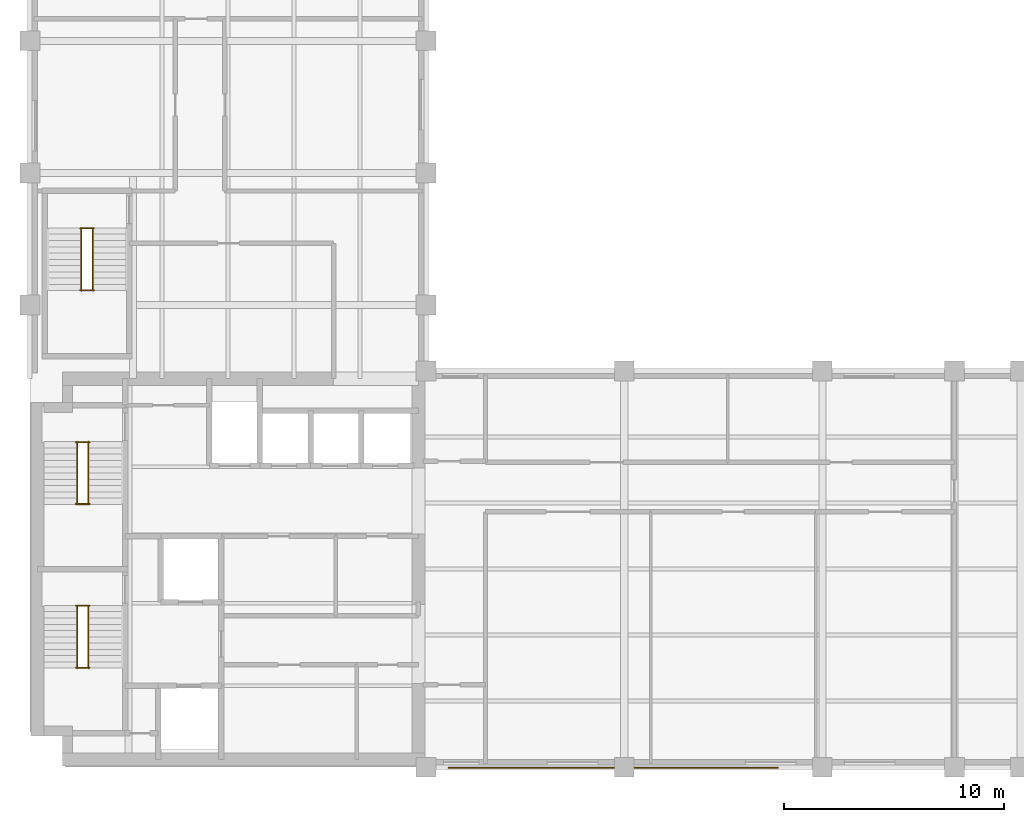
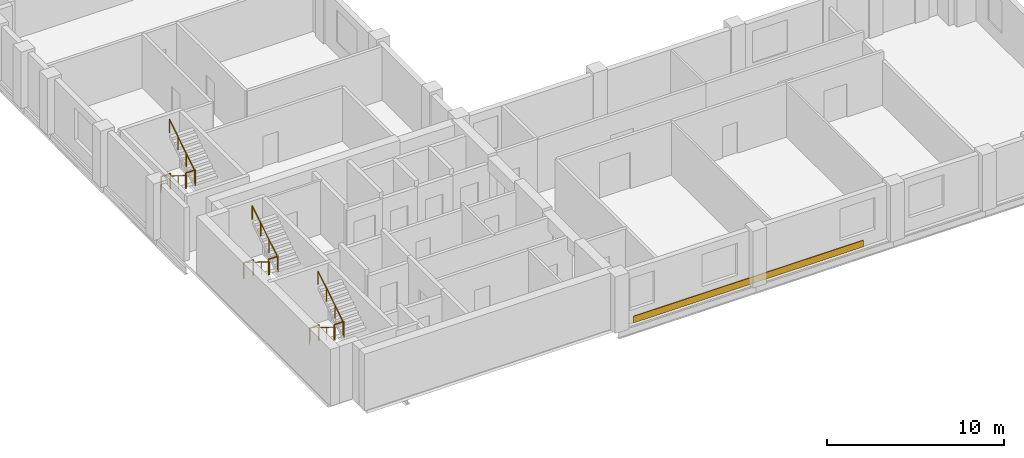
# One storey, part 6 of 6: 12 railings, 1 covering.
"""IFC4 building model written with IfcOpenShell, lengths in metres."""

import ifcopenshell
import ifcopenshell.guid

model = None  # the IFC model being written
_history = None  # IfcOwnerHistory: only IFC2X3 demands one
_inside = {}  # id of a spatial element -> (the spatial element, [elements in it])
_under = {}  # id of a project, library or spatial element -> (it, [spatial elements below it])
_declared = {}  # id of a project -> (the project, [libraries it declares])
_typed = {}  # id of a type object -> (the type object, [elements of that type])
_made_of = {}  # id of a material, layer set ... -> (it, [elements and type objects made of it])


def new_model(schema):
    """Start an empty IFC model of exactly this schema.

    Asked for "IFC4X3", IfcOpenShell would pick the latest addendum, in which some entities
    have other attributes; the version numbers below select the first issue.
    IFC2X3 requires an IfcOwnerHistory on every rooted entity: one is made here for all.
    """
    global model, _history
    if schema == "IFC4X3":
        model = ifcopenshell.file(schema_version=(4, 3, 0, 0))
    else:
        model = ifcopenshell.file(schema=schema)
    _inside.clear()
    _under.clear()
    _declared.clear()
    _typed.clear()
    _made_of.clear()
    _history = None
    if model.schema == "IFC2X3":
        org = make("IfcOrganization", Name="unknown")
        user = make(
            "IfcPersonAndOrganization",
            ThePerson=make("IfcPerson", FamilyName="unknown"),
            TheOrganization=org,
        )
        app = make(
            "IfcApplication",
            ApplicationDeveloper=org,
            Version="unknown",
            ApplicationFullName="unknown",
            ApplicationIdentifier="unknown",
        )
        _history = make(
            "IfcOwnerHistory",
            OwningUser=user,
            OwningApplication=app,
            ChangeAction="ADDED",
            CreationDate=0,
        )
    return model


def make(cls, **values):
    """One entity of the class cls with the attributes given. An attribute that is None is left unset."""
    return model.create_entity(
        cls, **{name: value for name, value in values.items() if value is not None}
    )


def rooted(cls, **values):
    """An entity with a GlobalId (a new one), such as an element, a storey or a relation."""
    return make(cls, GlobalId=ifcopenshell.guid.new(), OwnerHistory=_history, **values)


def si_unit(unit_type, name, prefix=None):
    """IfcSIUnit, for example si_unit("LENGTHUNIT", "METRE", prefix="MILLI")."""
    return make("IfcSIUnit", UnitType=unit_type, Prefix=prefix, Name=name)


def assignment(units):
    """IfcUnitAssignment: the units of a project."""
    return None if units is None else make("IfcUnitAssignment", Units=units)


def point(xyz):
    """IfcCartesianPoint."""
    return None if xyz is None else make("IfcCartesianPoint", Coordinates=xyz)


def direction(xyz):
    """IfcDirection."""
    return None if xyz is None else make("IfcDirection", DirectionRatios=xyz)


def frame(location, z_axis=None, x_axis=None):
    """IfcAxis2Placement3D, a coordinate frame: its origin and axes. An axis left out is left unset."""
    return make(
        "IfcAxis2Placement3D",
        Location=point(location),
        Axis=direction(z_axis),
        RefDirection=direction(x_axis),
    )


def frame_2d(location, x_axis=None):
    """IfcAxis2Placement2D, a coordinate frame in the plane: its origin and x axis."""
    return make(
        "IfcAxis2Placement2D", Location=point(location), RefDirection=direction(x_axis)
    )


def origin():
    """The frame at (0, 0, 0) with its axes left unset."""
    return frame((0.0, 0.0, 0.0))


def origin_2d():
    """The frame at (0, 0) in the plane with its x axis left unset."""
    return frame_2d((0.0, 0.0))


def place(relative_to, where):
    """IfcLocalPlacement: puts the frame where relative to a parent placement (None: the world)."""
    return make(
        "IfcLocalPlacement", PlacementRelTo=relative_to, RelativePlacement=where
    )


def context(
    kind, dimensions, precision=None, world=None, true_north=None, identifier=None
):
    """IfcGeometricRepresentationContext, for example the 3D "Model" context."""
    return make(
        "IfcGeometricRepresentationContext",
        ContextIdentifier=identifier,
        ContextType=kind,
        CoordinateSpaceDimension=dimensions,
        Precision=precision,
        WorldCoordinateSystem=world,
        TrueNorth=true_north,
    )


def subcontext(parent, identifier, kind, view, scale=None):
    """IfcGeometricRepresentationSubContext, for example "Body" below "Model"."""
    return make(
        "IfcGeometricRepresentationSubContext",
        ContextIdentifier=identifier,
        ContextType=kind,
        ParentContext=parent,
        TargetScale=scale,
        TargetView=view,
    )


def project(units=None, contexts=None):
    """IfcProject with its units and contexts."""
    return rooted(
        "IfcProject",
        Name="project",
        RepresentationContexts=contexts,
        UnitsInContext=assignment(units),
    )


def spatial(cls, under=None, at=None, **own):
    """A site, building, storey or space (cls), placed at a placement, below another one or the project."""
    s = rooted(cls, ObjectPlacement=at, **own)
    if under is not None:
        _under.setdefault(under.id(), (under, []))[1].append(s)
    return s


def polyline(points):
    """IfcPolyline through the points."""
    return make("IfcPolyline", Points=[point(p) for p in points])


def profile(cls, at=None, kind="AREA", **sizes):
    """A parametric profile (cls). Its sizes go by their IFC names, for example OverallWidth=200.0."""
    return make(cls, ProfileType=kind, Position=at, **sizes)


def circle(**sizes):
    """IfcCircleProfileDef."""
    return profile("IfcCircleProfileDef", **sizes)


def outline(outer, holes=None, kind="AREA"):
    """IfcArbitraryClosedProfileDef: a profile drawn as a closed curve; with holes, ...WithVoids."""
    if holes is None:
        return make("IfcArbitraryClosedProfileDef", ProfileType=kind, OuterCurve=outer)
    return make(
        "IfcArbitraryProfileDefWithVoids",
        ProfileType=kind,
        OuterCurve=outer,
        InnerCurves=holes,
    )


def extrude(swept, where, along, depth):
    """IfcExtrudedAreaSolid: the profile swept, set in the frame where, extruded along a direction by depth."""
    return make(
        "IfcExtrudedAreaSolid",
        SweptArea=swept,
        Position=where,
        ExtrudedDirection=direction(along),
        Depth=depth,
    )


def shape(context_of_items, identifier, shape_type, items):
    """IfcShapeRepresentation: the items that make up one representation, for example the "Body"."""
    return make(
        "IfcShapeRepresentation",
        ContextOfItems=context_of_items,
        RepresentationIdentifier=identifier,
        RepresentationType=shape_type,
        Items=items,
    )


def material(Name=None, Category=None):
    """IfcMaterial."""
    return make("IfcMaterial", Name=Name, Category=Category)


def layer(
    of_material, thickness, ventilated=None, Name=None, Category=None, Priority=None
):
    """IfcMaterialLayer: one layer of a wall or slab, of a material (None: an air gap)."""
    return make(
        "IfcMaterialLayer",
        Material=of_material,
        LayerThickness=thickness,
        IsVentilated=ventilated,
        Name=Name,
        Category=Category,
        Priority=Priority,
    )


def layer_set(layers, Name=None):
    """IfcMaterialLayerSet."""
    return make("IfcMaterialLayerSet", MaterialLayers=layers, LayerSetName=Name)


def made_of(thing, what):
    """Note that an element or type object is made of a material, layer set ...; save() writes the relation."""
    if what is not None:
        _made_of.setdefault(what.id(), (what, []))[1].append(thing)
    return thing


def type_object(cls, material=None, **own):
    """A type object (cls), such as IfcWallType, which elements share."""
    return made_of(rooted(cls, **own), material)


def element(
    cls,
    number,
    at=None,
    inside=None,
    cuts=None,
    type_object=None,
    material=None,
    context=None,
    identifier="Body",
    shape_type=None,
    held_by="IfcProductDefinitionShape",
    body=None,
    shapes=None,
    **own,
):
    """One element of the class cls, such as IfcWall. Its Tag is "e" and its number.

    at: its placement. inside: the storey or other place that contains it. cuts: it is an
    opening in that element (IfcRelVoidsElement). A single representation is given by context,
    identifier, shape_type and body (its items); several are given by shapes. held_by: the class
    of the entity that holds the representations. save() writes the other relations.
    """
    e = rooted(cls, Tag="e%d" % number, ObjectPlacement=at, **own)
    if body is not None:
        shapes = [shape(context, identifier, shape_type, body)]
    if shapes is not None:
        e.Representation = make(held_by, Representations=shapes)
    if inside is not None:
        _inside.setdefault(inside.id(), (inside, []))[1].append(e)
    if cuts is not None:
        rooted(
            "IfcRelVoidsElement", RelatingBuildingElement=cuts, RelatedOpeningElement=e
        )
    if type_object is not None:
        _typed.setdefault(type_object.id(), (type_object, []))[1].append(e)
    return made_of(e, material)


def aggregate(whole, parts):
    """IfcRelAggregates: a whole, such as a stair, and the parts it consists of."""
    return rooted("IfcRelAggregates", RelatingObject=whole, RelatedObjects=parts)


def save(model, path):
    """Write the relations noted so far, then the file.

    IfcRelAggregates (storeys below a building ...), IfcRelContainedInSpatialStructure (elements
    in a storey), IfcRelDefinesByType, IfcRelAssociatesMaterial and IfcRelDeclares: one each for
    every whole, place, type object, material and project.
    """
    for whole, parts in _under.values():
        aggregate(whole, parts)
    for where, things in _inside.values():
        rooted(
            "IfcRelContainedInSpatialStructure",
            RelatedElements=things,
            RelatingStructure=where,
        )
    for kind, things in _typed.values():
        rooted("IfcRelDefinesByType", RelatedObjects=things, RelatingType=kind)
    for what, things in _made_of.values():
        rooted("IfcRelAssociatesMaterial", RelatedObjects=things, RelatingMaterial=what)
    for by, libraries in _declared.values():
        rooted("IfcRelDeclares", RelatingContext=by, RelatedDefinitions=libraries)
    model.write(path)


model = new_model("IFC4")

# Units and contexts
model_context = context("Model", 3, precision=1e-05, world=origin(), true_north=direction((0.0, 1.0)))
body_context = subcontext(model_context, "Body", "Model", "MODEL_VIEW")
ifc_project = project(units=[si_unit("LENGTHUNIT", "METRE"), si_unit("AREAUNIT", "SQUARE_METRE"), si_unit("VOLUMEUNIT", "CUBIC_METRE"), si_unit("PLANEANGLEUNIT", "RADIAN"), si_unit("MASSUNIT", "GRAM", prefix="KILO")], contexts=[model_context])

# Site, building, storey
site_placement = place(None, origin())
site = spatial("IfcSite", under=ifc_project, at=site_placement, CompositionType="ELEMENT")
building_placement = place(site_placement, origin())
building = spatial("IfcBuilding", under=site, at=building_placement, Name="Mawjdan Bourse Tower", CompositionType="ELEMENT")
storey_placement = place(building_placement, frame((0.0, 0.0, 183.89990234375)))
storey = spatial("IfcBuildingStorey", under=building, at=storey_placement, Name="L44", CompositionType="ELEMENT", Elevation=183.89990234375)

# Covering
ifc_material_1 = material(Name="Honed Qatari Limestone Coping", Category="masonry")
ifc_layer = layer(ifc_material_1, 0.054931640625)
ifc_layer_set = layer_set([ifc_layer], Name="Honed Qatari Limestone Coping")
covering_type = type_object("IfcCoveringType", Name="COV-CLD-SPN", PredefinedType="CLADDING", material=ifc_layer_set)
covering_placement = place(storey_placement, origin())
element("IfcCovering", 1, at=covering_placement, inside=storey, type_object=covering_type, Name="L44 Limestone Spandrel Coping Trim", PredefinedType="CLADDING", context=body_context, shape_type="SweptSolid", body=[
    extrude(outline(polyline([(25.0, 2.949951171875), (40.0, 2.949951171875), (40.0, 3.010009765625), (25.0, 3.010009765625), (25.0, 2.949951171875)])), origin(), (0.0, 0.0, 1.0), 0.4501953125),
])

# Railings
ifc_material_2 = material(Name="Structural Steel S355", Category="steel")
railing_type_1 = type_object("IfcRailingType", Name="RLG-GRD-1100", PredefinedType="GUARDRAIL", material=ifc_material_2)
for number, where, name in (
    (2, (8.090087890625, 7.52001953125, 1.9501953125), "L44 ST1 Landing Guardrail GL-MID"),
    (3, (8.090087890625, 10.330078125, 0.0), "L44 ST1 Landing Guardrail GL-BOT"),
    (4, (8.090087890625, 14.9599609375, 1.9501953125), "L44 ST2 Landing Guardrail GL-MID"),
    (5, (8.090087890625, 17.77001953125, 0.0), "L44 ST2 Landing Guardrail GL-BOT"),
    (6, (8.2900390625, 24.669921875, 1.9501953125), "L44 ST3 Landing Guardrail GL-MID"),
    (7, (8.2900390625, 27.47998046875, 0.0), "L44 ST3 Landing Guardrail GL-BOT"),
):
    element("IfcRailing", number, at=place(storey_placement, frame(where)), inside=storey, type_object=railing_type_1, Name=name, PredefinedType="GUARDRAIL", context=body_context, shape_type="SweptSolid", body=[
        extrude(circle(Radius=0.02490234375, at=origin_2d()), frame((0.0, 0.0, 1.0751953125), z_axis=(1.0, 0.0, 0.0), x_axis=(0.0, 1.0, 0.0)), (0.0, 0.0, 1.0), 0.619873046875),
        extrude(circle(Radius=0.02099609375, at=origin_2d()), origin(), (0.0, 0.0, 1.0), 1.050048828125),
        extrude(circle(Radius=0.02099609375, at=origin_2d()), frame((0.619873046875, 0.0, 0.0)), (0.0, 0.0, 1.0), 1.050048828125),
    ])
ifc_material_3 = material(Name="Brushed Stainless Steel", Category="steel")
railing_type_2 = type_object("IfcRailingType", Name="RLG-HND-920", PredefinedType="HANDRAIL", material=ifc_material_3)
railing_1_placement = place(storey_placement, frame((8.139892578125, 10.35009765625, 0.177490234375)))
element("IfcRailing", 8, at=railing_1_placement, inside=storey, type_object=railing_type_2, Name="L44 ST1 Flight Handrail HR1", PredefinedType="HANDRAIL", context=body_context, shape_type="SweptSolid", body=[
    extrude(circle(Radius=0.0224609375, at=origin_2d()), frame((0.0, 0.0, 0.8974609375), z_axis=(0.0, -0.849148672731, 0.528153890072), x_axis=(1.0, 0.0, 0.0)), (0.0, 0.0, 1.0), 3.3564453125),
    extrude(circle(Radius=0.01904296875, at=origin_2d()), origin(), (0.0, 0.0, 1.0), 0.875),
    extrude(circle(Radius=0.01904296875, at=origin_2d()), frame((0.0, -0.949951171875, 0.5908203125)), (0.0, 0.0, 1.0), 0.875),
    extrude(circle(Radius=0.01904296875, at=origin_2d()), frame((0.0, -1.900146484375, 1.181884765625)), (0.0, 0.0, 1.0), 0.875),
    extrude(circle(Radius=0.01904296875, at=origin_2d()), frame((0.0, -2.85009765625, 1.772705078125)), (0.0, 0.0, 1.0), 0.875),
])
railing_2_placement = place(storey_placement, frame((8.659912109375, 7.5, 2.12744140625)))
element("IfcRailing", 9, at=railing_2_placement, inside=storey, type_object=railing_type_2, Name="L44 ST1 Flight Handrail HR2", PredefinedType="HANDRAIL", context=body_context, shape_type="SweptSolid", body=[
    extrude(circle(Radius=0.0224609375, at=origin_2d()), frame((0.0, 0.0, 0.8974609375), z_axis=(0.0, 0.849148672731, 0.528153890072), x_axis=(-1.0, 0.0, 0.0)), (0.0, 0.0, 1.0), 3.3564453125),
    extrude(circle(Radius=0.01904296875, at=origin_2d()), origin(), (0.0, 0.0, 1.0), 0.875),
    extrude(circle(Radius=0.01904296875, at=origin_2d()), frame((0.0, 0.949951171875, 0.5908203125)), (0.0, 0.0, 1.0), 0.875),
    extrude(circle(Radius=0.01904296875, at=origin_2d()), frame((0.0, 1.900146484375, 1.181884765625)), (0.0, 0.0, 1.0), 0.875),
    extrude(circle(Radius=0.01904296875, at=origin_2d()), frame((0.0, 2.85009765625, 1.772705078125)), (0.0, 0.0, 1.0), 0.875),
])
railing_3_placement = place(storey_placement, frame((8.139892578125, 17.7900390625, 0.177490234375)))
element("IfcRailing", 10, at=railing_3_placement, inside=storey, type_object=railing_type_2, Name="L44 ST2 Flight Handrail HR1", PredefinedType="HANDRAIL", context=body_context, shape_type="SweptSolid", body=[
    extrude(circle(Radius=0.0224609375, at=origin_2d()), frame((0.0, 0.0, 0.8974609375), z_axis=(0.0, -0.849148672731, 0.528153890072), x_axis=(1.0, 0.0, 0.0)), (0.0, 0.0, 1.0), 3.3564453125),
    extrude(circle(Radius=0.01904296875, at=origin_2d()), origin(), (0.0, 0.0, 1.0), 0.875),
    extrude(circle(Radius=0.01904296875, at=origin_2d()), frame((0.0, -0.949951171875, 0.5908203125)), (0.0, 0.0, 1.0), 0.875),
    extrude(circle(Radius=0.01904296875, at=origin_2d()), frame((0.0, -1.900146484375, 1.181884765625)), (0.0, 0.0, 1.0), 0.875),
    extrude(circle(Radius=0.01904296875, at=origin_2d()), frame((0.0, -2.85009765625, 1.772705078125)), (0.0, 0.0, 1.0), 0.875),
])
railing_4_placement = place(storey_placement, frame((8.659912109375, 14.93994140625, 2.12744140625)))
element("IfcRailing", 11, at=railing_4_placement, inside=storey, type_object=railing_type_2, Name="L44 ST2 Flight Handrail HR2", PredefinedType="HANDRAIL", context=body_context, shape_type="SweptSolid", body=[
    extrude(circle(Radius=0.0224609375, at=origin_2d()), frame((0.0, 0.0, 0.8974609375), z_axis=(0.0, 0.849148672731, 0.528153890072), x_axis=(-1.0, 0.0, 0.0)), (0.0, 0.0, 1.0), 3.3564453125),
    extrude(circle(Radius=0.01904296875, at=origin_2d()), origin(), (0.0, 0.0, 1.0), 0.875),
    extrude(circle(Radius=0.01904296875, at=origin_2d()), frame((0.0, 0.949951171875, 0.5908203125)), (0.0, 0.0, 1.0), 0.875),
    extrude(circle(Radius=0.01904296875, at=origin_2d()), frame((0.0, 1.900146484375, 1.181884765625)), (0.0, 0.0, 1.0), 0.875),
    extrude(circle(Radius=0.01904296875, at=origin_2d()), frame((0.0, 2.85009765625, 1.772705078125)), (0.0, 0.0, 1.0), 0.875),
])
railing_5_placement = place(storey_placement, frame((8.340087890625, 27.5, 0.177490234375)))
element("IfcRailing", 12, at=railing_5_placement, inside=storey, type_object=railing_type_2, Name="L44 ST3 Flight Handrail HR1", PredefinedType="HANDRAIL", context=body_context, shape_type="SweptSolid", body=[
    extrude(circle(Radius=0.0224609375, at=origin_2d()), frame((0.0, 0.0, 0.8974609375), z_axis=(0.0, -0.849148672731, 0.528153890072), x_axis=(1.0, 0.0, 0.0)), (0.0, 0.0, 1.0), 3.3564453125),
    extrude(circle(Radius=0.01904296875, at=origin_2d()), origin(), (0.0, 0.0, 1.0), 0.875),
    extrude(circle(Radius=0.01904296875, at=origin_2d()), frame((0.0, -0.949951171875, 0.5908203125)), (0.0, 0.0, 1.0), 0.875),
    extrude(circle(Radius=0.01904296875, at=origin_2d()), frame((0.0, -1.900146484375, 1.181884765625)), (0.0, 0.0, 1.0), 0.875),
    extrude(circle(Radius=0.01904296875, at=origin_2d()), frame((0.0, -2.85009765625, 1.772705078125)), (0.0, 0.0, 1.0), 0.875),
])
railing_6_placement = place(storey_placement, frame((8.860107421875, 24.64990234375, 2.12744140625)))
element("IfcRailing", 13, at=railing_6_placement, inside=storey, type_object=railing_type_2, Name="L44 ST3 Flight Handrail HR2", PredefinedType="HANDRAIL", context=body_context, shape_type="SweptSolid", body=[
    extrude(circle(Radius=0.0224609375, at=origin_2d()), frame((0.0, 0.0, 0.8974609375), z_axis=(0.0, 0.849148672731, 0.528153890072), x_axis=(-1.0, 0.0, 0.0)), (0.0, 0.0, 1.0), 3.3564453125),
    extrude(circle(Radius=0.01904296875, at=origin_2d()), origin(), (0.0, 0.0, 1.0), 0.875),
    extrude(circle(Radius=0.01904296875, at=origin_2d()), frame((0.0, 0.949951171875, 0.5908203125)), (0.0, 0.0, 1.0), 0.875),
    extrude(circle(Radius=0.01904296875, at=origin_2d()), frame((0.0, 1.900146484375, 1.181884765625)), (0.0, 0.0, 1.0), 0.875),
    extrude(circle(Radius=0.01904296875, at=origin_2d()), frame((0.0, 2.85009765625, 1.772705078125)), (0.0, 0.0, 1.0), 0.875),
])

save(model, "model.ifc")
